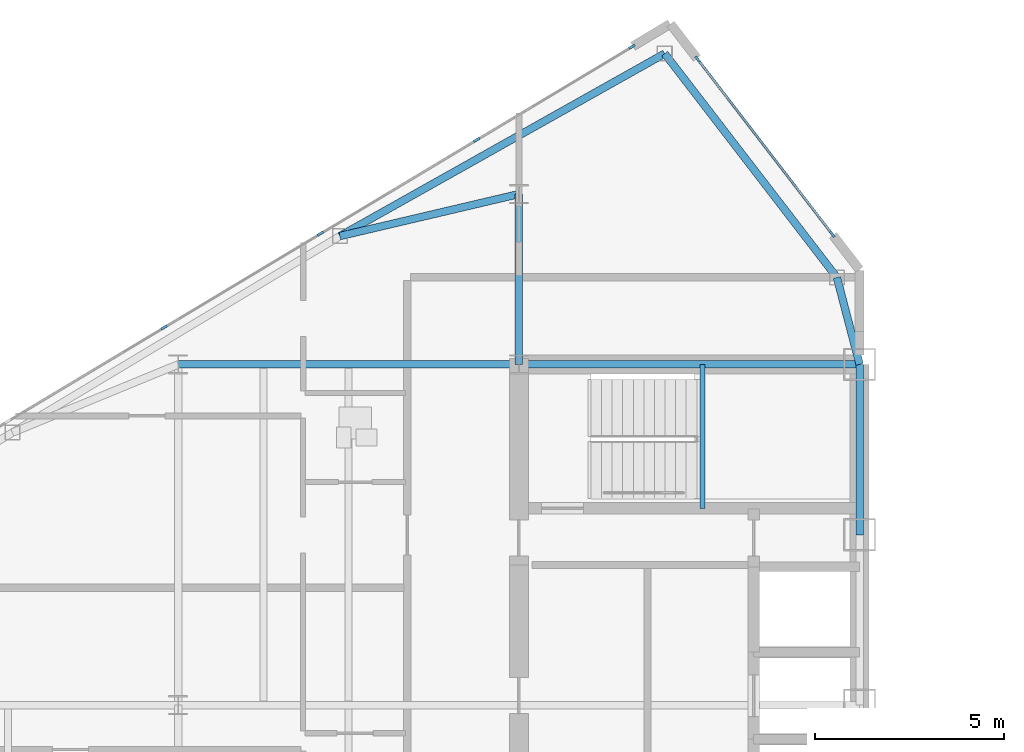
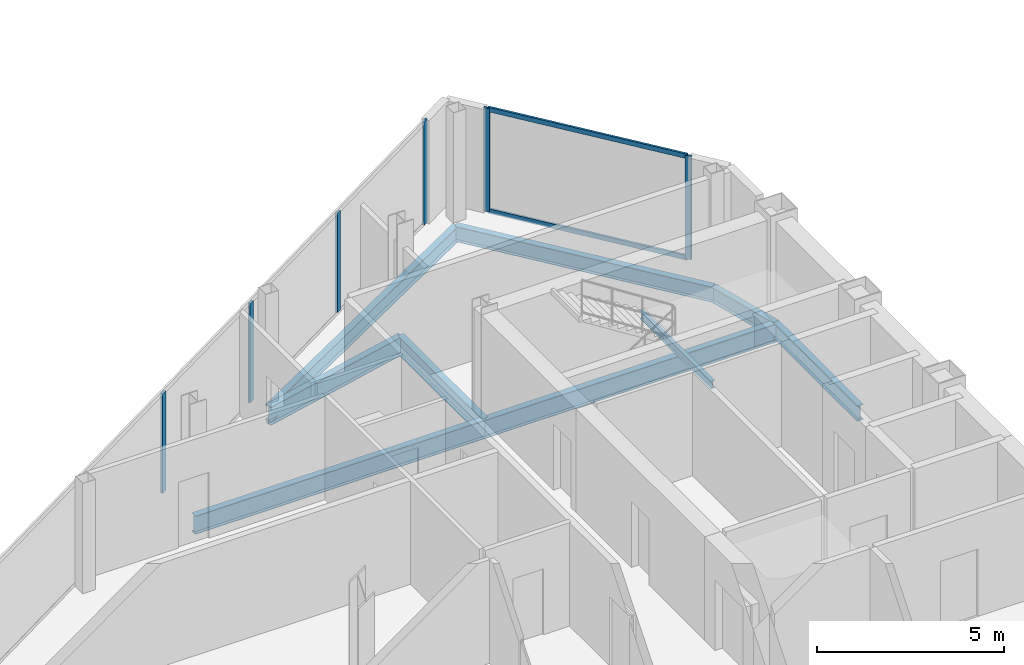
# One storey, part 10 of 25: 9 beams, 8 members, 2 elements without a shape of their own.
"""IFC4 building model written with IfcOpenShell, lengths in metres."""

import ifcopenshell
import ifcopenshell.guid

model = None  # the IFC model being written
_history = None  # IfcOwnerHistory: only IFC2X3 demands one
_inside = {}  # id of a spatial element -> (the spatial element, [elements in it])
_under = {}  # id of a project, library or spatial element -> (it, [spatial elements below it])
_declared = {}  # id of a project -> (the project, [libraries it declares])
_typed = {}  # id of a type object -> (the type object, [elements of that type])
_made_of = {}  # id of a material, layer set ... -> (it, [elements and type objects made of it])


def new_model(schema):
    """Start an empty IFC model of exactly this schema.

    Asked for "IFC4X3", IfcOpenShell would pick the latest addendum, in which some entities
    have other attributes; the version numbers below select the first issue.
    IFC2X3 requires an IfcOwnerHistory on every rooted entity: one is made here for all.
    """
    global model, _history
    if schema == "IFC4X3":
        model = ifcopenshell.file(schema_version=(4, 3, 0, 0))
    else:
        model = ifcopenshell.file(schema=schema)
    _inside.clear()
    _under.clear()
    _declared.clear()
    _typed.clear()
    _made_of.clear()
    _history = None
    if model.schema == "IFC2X3":
        org = make("IfcOrganization", Name="unknown")
        user = make(
            "IfcPersonAndOrganization",
            ThePerson=make("IfcPerson", FamilyName="unknown"),
            TheOrganization=org,
        )
        app = make(
            "IfcApplication",
            ApplicationDeveloper=org,
            Version="unknown",
            ApplicationFullName="unknown",
            ApplicationIdentifier="unknown",
        )
        _history = make(
            "IfcOwnerHistory",
            OwningUser=user,
            OwningApplication=app,
            ChangeAction="ADDED",
            CreationDate=0,
        )
    return model


def make(cls, **values):
    """One entity of the class cls with the attributes given. An attribute that is None is left unset."""
    return model.create_entity(
        cls, **{name: value for name, value in values.items() if value is not None}
    )


def rooted(cls, **values):
    """An entity with a GlobalId (a new one), such as an element, a storey or a relation."""
    return make(cls, GlobalId=ifcopenshell.guid.new(), OwnerHistory=_history, **values)


def si_unit(unit_type, name, prefix=None):
    """IfcSIUnit, for example si_unit("LENGTHUNIT", "METRE", prefix="MILLI")."""
    return make("IfcSIUnit", UnitType=unit_type, Prefix=prefix, Name=name)


def assignment(units):
    """IfcUnitAssignment: the units of a project."""
    return None if units is None else make("IfcUnitAssignment", Units=units)


def point(xyz):
    """IfcCartesianPoint."""
    return None if xyz is None else make("IfcCartesianPoint", Coordinates=xyz)


def direction(xyz):
    """IfcDirection."""
    return None if xyz is None else make("IfcDirection", DirectionRatios=xyz)


def frame(location, z_axis=None, x_axis=None):
    """IfcAxis2Placement3D, a coordinate frame: its origin and axes. An axis left out is left unset."""
    return make(
        "IfcAxis2Placement3D",
        Location=point(location),
        Axis=direction(z_axis),
        RefDirection=direction(x_axis),
    )


def frame_2d(location, x_axis=None):
    """IfcAxis2Placement2D, a coordinate frame in the plane: its origin and x axis."""
    return make(
        "IfcAxis2Placement2D", Location=point(location), RefDirection=direction(x_axis)
    )


def origin():
    """The frame at (0, 0, 0) with its axes left unset."""
    return frame((0.0, 0.0, 0.0))


def origin_2d():
    """The frame at (0, 0) in the plane with its x axis left unset."""
    return frame_2d((0.0, 0.0))


def place(relative_to, where):
    """IfcLocalPlacement: puts the frame where relative to a parent placement (None: the world)."""
    return make(
        "IfcLocalPlacement", PlacementRelTo=relative_to, RelativePlacement=where
    )


def context(
    kind, dimensions, precision=None, world=None, true_north=None, identifier=None
):
    """IfcGeometricRepresentationContext, for example the 3D "Model" context."""
    return make(
        "IfcGeometricRepresentationContext",
        ContextIdentifier=identifier,
        ContextType=kind,
        CoordinateSpaceDimension=dimensions,
        Precision=precision,
        WorldCoordinateSystem=world,
        TrueNorth=true_north,
    )


def subcontext(parent, identifier, kind, view, scale=None):
    """IfcGeometricRepresentationSubContext, for example "Body" below "Model"."""
    return make(
        "IfcGeometricRepresentationSubContext",
        ContextIdentifier=identifier,
        ContextType=kind,
        ParentContext=parent,
        TargetScale=scale,
        TargetView=view,
    )


def project(units=None, contexts=None):
    """IfcProject with its units and contexts."""
    return rooted(
        "IfcProject",
        Name="project",
        RepresentationContexts=contexts,
        UnitsInContext=assignment(units),
    )


def spatial(cls, under=None, at=None, **own):
    """A site, building, storey or space (cls), placed at a placement, below another one or the project."""
    s = rooted(cls, ObjectPlacement=at, **own)
    if under is not None:
        _under.setdefault(under.id(), (under, []))[1].append(s)
    return s


def profile(cls, at=None, kind="AREA", **sizes):
    """A parametric profile (cls). Its sizes go by their IFC names, for example OverallWidth=200.0."""
    return make(cls, ProfileType=kind, Position=at, **sizes)


def rectangle(**sizes):
    """IfcRectangleProfileDef."""
    return profile("IfcRectangleProfileDef", **sizes)


def i_section(**sizes):
    """IfcIShapeProfileDef."""
    return profile("IfcIShapeProfileDef", **sizes)


def extrude(swept, where, along, depth):
    """IfcExtrudedAreaSolid: the profile swept, set in the frame where, extruded along a direction by depth."""
    return make(
        "IfcExtrudedAreaSolid",
        SweptArea=swept,
        Position=where,
        ExtrudedDirection=direction(along),
        Depth=depth,
    )


def shape(context_of_items, identifier, shape_type, items):
    """IfcShapeRepresentation: the items that make up one representation, for example the "Body"."""
    return make(
        "IfcShapeRepresentation",
        ContextOfItems=context_of_items,
        RepresentationIdentifier=identifier,
        RepresentationType=shape_type,
        Items=items,
    )


def source(mapping_origin, context_of_items, identifier, shape_type, items):
    """IfcRepresentationMap: a shape defined once, which mapped items show again and again."""
    return make(
        "IfcRepresentationMap",
        MappingOrigin=mapping_origin,
        MappedRepresentation=shape(context_of_items, identifier, shape_type, items),
    )


def transform(
    local_origin,
    x_axis=None,
    y_axis=None,
    z_axis=None,
    scale=None,
    scale2=None,
    scale3=None,
    uniform=True,
):
    """IfcCartesianTransformationOperator3D, or its non-uniform kind. x_axis, y_axis, z_axis: its Axis1, 2, 3."""
    if uniform:
        return make(
            "IfcCartesianTransformationOperator3D",
            Axis1=direction(x_axis),
            Axis2=direction(y_axis),
            LocalOrigin=point(local_origin),
            Scale=scale,
            Axis3=direction(z_axis),
        )
    return make(
        "IfcCartesianTransformationOperator3DnonUniform",
        Axis1=direction(x_axis),
        Axis2=direction(y_axis),
        LocalOrigin=point(local_origin),
        Scale=scale,
        Axis3=direction(z_axis),
        Scale2=scale2,
        Scale3=scale3,
    )


def mapped(mapping_source, mapping_target):
    """IfcMappedItem: shows the shape of a source again, moved by a transform."""
    return make(
        "IfcMappedItem", MappingSource=mapping_source, MappingTarget=mapping_target
    )


def material(Name=None, Category=None):
    """IfcMaterial."""
    return make("IfcMaterial", Name=Name, Category=Category)


def layer(
    of_material, thickness, ventilated=None, Name=None, Category=None, Priority=None
):
    """IfcMaterialLayer: one layer of a wall or slab, of a material (None: an air gap)."""
    return make(
        "IfcMaterialLayer",
        Material=of_material,
        LayerThickness=thickness,
        IsVentilated=ventilated,
        Name=Name,
        Category=Category,
        Priority=Priority,
    )


def layer_set(layers, Name=None):
    """IfcMaterialLayerSet."""
    return make("IfcMaterialLayerSet", MaterialLayers=layers, LayerSetName=Name)


def material_profile(
    of_material, cross_section, Name=None, Category=None, Priority=None
):
    """IfcMaterialProfile: a cross section and its material."""
    return make(
        "IfcMaterialProfile",
        Name=Name,
        Material=of_material,
        Profile=cross_section,
        Priority=Priority,
        Category=Category,
    )


def profile_set(profiles, Name=None, composite=None):
    """IfcMaterialProfileSet."""
    return make(
        "IfcMaterialProfileSet",
        Name=Name,
        MaterialProfiles=profiles,
        CompositeProfile=composite,
    )


def made_of(thing, what):
    """Note that an element or type object is made of a material, layer set ...; save() writes the relation."""
    if what is not None:
        _made_of.setdefault(what.id(), (what, []))[1].append(thing)
    return thing


def type_object(cls, material=None, **own):
    """A type object (cls), such as IfcWallType, which elements share."""
    return made_of(rooted(cls, **own), material)


def type_shapes(of_type, sources):
    """Give a type object the sources (RepresentationMaps) that its elements show as mapped items."""
    of_type.RepresentationMaps = sources


def element(
    cls,
    number,
    at=None,
    inside=None,
    cuts=None,
    type_object=None,
    material=None,
    context=None,
    identifier="Body",
    shape_type=None,
    held_by="IfcProductDefinitionShape",
    body=None,
    shapes=None,
    **own,
):
    """One element of the class cls, such as IfcWall. Its Tag is "e" and its number.

    at: its placement. inside: the storey or other place that contains it. cuts: it is an
    opening in that element (IfcRelVoidsElement). A single representation is given by context,
    identifier, shape_type and body (its items); several are given by shapes. held_by: the class
    of the entity that holds the representations. save() writes the other relations.
    """
    e = rooted(cls, Tag="e%d" % number, ObjectPlacement=at, **own)
    if body is not None:
        shapes = [shape(context, identifier, shape_type, body)]
    if shapes is not None:
        e.Representation = make(held_by, Representations=shapes)
    if inside is not None:
        _inside.setdefault(inside.id(), (inside, []))[1].append(e)
    if cuts is not None:
        rooted(
            "IfcRelVoidsElement", RelatingBuildingElement=cuts, RelatedOpeningElement=e
        )
    if type_object is not None:
        _typed.setdefault(type_object.id(), (type_object, []))[1].append(e)
    return made_of(e, material)


def aggregate(whole, parts):
    """IfcRelAggregates: a whole, such as a stair, and the parts it consists of."""
    return rooted("IfcRelAggregates", RelatingObject=whole, RelatedObjects=parts)


def save(model, path):
    """Write the relations noted so far, then the file.

    IfcRelAggregates (storeys below a building ...), IfcRelContainedInSpatialStructure (elements
    in a storey), IfcRelDefinesByType, IfcRelAssociatesMaterial and IfcRelDeclares: one each for
    every whole, place, type object, material and project.
    """
    for whole, parts in _under.values():
        aggregate(whole, parts)
    for where, things in _inside.values():
        rooted(
            "IfcRelContainedInSpatialStructure",
            RelatedElements=things,
            RelatingStructure=where,
        )
    for kind, things in _typed.values():
        rooted("IfcRelDefinesByType", RelatedObjects=things, RelatingType=kind)
    for what, things in _made_of.values():
        rooted("IfcRelAssociatesMaterial", RelatedObjects=things, RelatingMaterial=what)
    for by, libraries in _declared.values():
        rooted("IfcRelDeclares", RelatingContext=by, RelatedDefinitions=libraries)
    model.write(path)


model = new_model("IFC4")

# Units and contexts
model_context = context("Model", 3, precision=1e-05, world=origin(), true_north=direction((0.0, 1.0)))
body_context = subcontext(model_context, "Body", "Model", "MODEL_VIEW")
ifc_project = project(units=[si_unit("LENGTHUNIT", "METRE"), si_unit("AREAUNIT", "SQUARE_METRE"), si_unit("VOLUMEUNIT", "CUBIC_METRE"), si_unit("PLANEANGLEUNIT", "RADIAN"), si_unit("MASSUNIT", "GRAM", prefix="KILO")], contexts=[model_context])

# Site, building, storey
site_placement = place(None, origin())
site = spatial("IfcSite", under=ifc_project, at=site_placement, CompositionType="ELEMENT")
building_placement = place(site_placement, origin())
building = spatial("IfcBuilding", under=site, at=building_placement, Name="Seokmaru Belvedere", CompositionType="ELEMENT")
storey_placement = place(building_placement, frame((0.0, 0.0, 217.5)))
storey = spatial("IfcBuildingStorey", under=building, at=storey_placement, Name="L58", CompositionType="ELEMENT", Elevation=217.5)

# Beams
ifc_material_1 = material(Name="Steel SM355 (355 MPa)", Category="steel")
ifc_material_profile_1 = material_profile(ifc_material_1, i_section(OverallWidth=0.199951171875, OverallDepth=0.5, WebThickness=0.010009765625, FlangeThickness=0.01611328125, at=origin_2d()), Name="H-500x200x10x16")
ifc_profile_set_1 = profile_set([ifc_material_profile_1], Name="Steel SM355 (355 MPa)")
beam_type_1 = type_object("IfcBeamType", Name="Perimeter Spandrel Beam H-500", PredefinedType="SPANDREL", material=ifc_profile_set_1)
shared_shape_1 = source(origin(), body_context, "Body", "SweptSolid", [
    extrude(i_section(OverallWidth=0.199951171875, OverallDepth=0.5, WebThickness=0.010009765625, FlangeThickness=0.01611328125, at=origin_2d()), origin(), (0.0, 0.0, 1.0), 4.5),
])
beam_1_placement = place(storey_placement, frame((-27.5, 9.0, -0.469970703125), z_axis=(0.0, 1.0, 0.0), x_axis=(-1.0, 0.0, 0.0)))
element("IfcBeam", 1, at=beam_1_placement, inside=storey, type_object=beam_type_1, Name="L58 W Portal Spine Spandrel 5", PredefinedType="SPANDREL", context=body_context, shape_type="MappedRepresentation", body=[
    mapped(shared_shape_1, transform((0.0, 0.0, 0.0), scale=1.0)),
])
ifc_material_profile_2 = material_profile(ifc_material_1, i_section(OverallWidth=0.199951171875, OverallDepth=0.60009765625, WebThickness=0.010986328125, FlangeThickness=0.01708984375, at=origin_2d()), Name="H-600x200x11x17")
ifc_profile_set_2 = profile_set([ifc_material_profile_2], Name="Steel SM355 (355 MPa)")
beam_type_2 = type_object("IfcBeamType", Name="Primary Floor Girder H-600", PredefinedType="BEAM", material=ifc_profile_set_2)
shared_shape_2 = source(origin(), body_context, "Body", "SweptSolid", [
    extrude(i_section(OverallWidth=0.199951171875, OverallDepth=0.60009765625, WebThickness=0.010986328125, FlangeThickness=0.01708984375, at=origin_2d()), origin(), (0.0, 0.0, 1.0), 9.0),
])
for number, where, z_axis, x_axis, name in (
    (2, (-36.5, 13.5, -0.52001953125), (1.0, 0.0, 0.0), (0.0, 1.0, 0.0), "L58 W Core Tie Girder 4"),
    (3, (-45.5, 13.5, -0.52001953125), (1.0, 0.0, 0.0), (0.0, 1.0, 0.0), "L58 W Wing Primary Girder 4"),
):
    element("IfcBeam", number, at=place(storey_placement, frame(where, z_axis=z_axis, x_axis=x_axis)), inside=storey, type_object=beam_type_2, Name=name, PredefinedType="BEAM", context=body_context, shape_type="MappedRepresentation", body=[
        mapped(shared_shape_2, transform((0.0, 0.0, 0.0), scale=1.0)),
    ])
shared_shape_3 = source(origin(), body_context, "Body", "SweptSolid", [
    extrude(i_section(OverallWidth=0.199951171875, OverallDepth=0.60009765625, WebThickness=0.010986328125, FlangeThickness=0.01708984375, at=origin_2d()), origin(), (0.0, 0.0, 1.0), 4.5),
])
beam_2_placement = place(storey_placement, frame((-36.5, 13.5, -0.52001953125), z_axis=(0.0, 1.0, 0.0), x_axis=(-1.0, 0.0, 0.0)))
element("IfcBeam", 4, at=beam_2_placement, inside=storey, type_object=beam_type_2, Name="L58 W Core Shoulder Girder N", PredefinedType="BEAM", context=body_context, shape_type="MappedRepresentation", body=[
    mapped(shared_shape_3, transform((0.0, 0.0, 0.0), scale=1.0)),
])
shared_shape_4 = source(origin(), body_context, "Body", "SweptSolid", [
    extrude(i_section(OverallWidth=0.199951171875, OverallDepth=0.5, WebThickness=0.010009765625, FlangeThickness=0.01611328125, at=origin_2d()), origin(), (0.0, 0.0, 1.0), 9.842041015625),
])
beam_3_placement = place(storey_placement, frame((-32.649658203125, 21.71044921875, -0.469970703125), z_axis=(-0.871782151818, -0.489893743349, 0.0), x_axis=(0.489893743349, -0.871782151818, 0.0)))
element("IfcBeam", 5, at=beam_3_placement, inside=storey, type_object=beam_type_1, Name="L58 W Faceted Flank Spandrel N-1", PredefinedType="SPANDREL", context=body_context, shape_type="MappedRepresentation", body=[
    mapped(shared_shape_4, transform((0.0, 0.0, 0.0), scale=1.0)),
])
shared_shape_5 = source(origin(), body_context, "Body", "SweptSolid", [
    extrude(i_section(OverallWidth=0.199951171875, OverallDepth=0.5, WebThickness=0.010009765625, FlangeThickness=0.01611328125, at=origin_2d()), origin(), (0.0, 0.0, 1.0), 7.4619140625),
])
beam_4_placement = place(storey_placement, frame((-32.649658203125, 21.71044921875, -0.469970703125), z_axis=(0.609702854945, -0.792630070507, 0.0), x_axis=(0.792630070507, 0.609702854945, 0.0)))
element("IfcBeam", 6, at=beam_4_placement, inside=storey, type_object=beam_type_1, Name="L58 W Shoulder Chamfer Spandrel N", PredefinedType="SPANDREL", context=body_context, shape_type="MappedRepresentation", body=[
    mapped(shared_shape_5, transform((0.0, 0.0, 0.0), scale=1.0)),
])
shared_shape_6 = source(origin(), body_context, "Body", "SweptSolid", [
    extrude(i_section(OverallWidth=0.199951171875, OverallDepth=0.5, WebThickness=0.010009765625, FlangeThickness=0.01611328125, at=origin_2d()), origin(), (0.0, 0.0, 1.0), 2.373046875),
])
type_shapes(beam_type_1, [shared_shape_1, shared_shape_4, shared_shape_5, shared_shape_6])
beam_5_placement = place(storey_placement, frame((-28.10009765625, 15.7958984375, -0.469970703125), z_axis=(0.252882558842, -0.967496982648, 0.0), x_axis=(0.967496982648, 0.252882558842, 0.0)))
element("IfcBeam", 7, at=beam_5_placement, inside=storey, type_object=beam_type_1, Name="L58 W Shoulder Spine Spandrel N", PredefinedType="SPANDREL", context=body_context, shape_type="MappedRepresentation", body=[
    mapped(shared_shape_6, transform((0.0, 0.0, 0.0), scale=1.0)),
])
shared_shape_7 = source(origin(), body_context, "Body", "SweptSolid", [
    extrude(i_section(OverallWidth=0.199951171875, OverallDepth=0.60009765625, WebThickness=0.010986328125, FlangeThickness=0.01708984375, at=origin_2d()), origin(), (0.0, 0.0, 1.0), 4.8583984375),
])
type_shapes(beam_type_2, [shared_shape_2, shared_shape_3, shared_shape_7])
beam_6_placement = place(storey_placement, frame((-41.229736328125, 16.888916015625, -0.52001953125), z_axis=(0.97349948295, 0.228689214211, 0.0), x_axis=(-0.228689214211, 0.97349948295, 0.0)))
element("IfcBeam", 8, at=beam_6_placement, inside=storey, type_object=beam_type_2, Name="L58 W Flank Radial Floor Girder N-1", PredefinedType="BEAM", context=body_context, shape_type="MappedRepresentation", body=[
    mapped(shared_shape_7, transform((0.0, 0.0, 0.0), scale=1.0)),
])

# Curtain wall, members
ifc_material_2 = material(Name="Bronze Triple Insulating Glass", Category="glass")
ifc_layer = layer(ifc_material_2, 0.179931640625)
ifc_layer_set = layer_set([ifc_layer], Name="Bronze Triple Insulating Glass")
curtain_wall_type = type_object("IfcCurtainWallType", Name="High-Rise Wind-Corner Curtain Wall System CW-5", PredefinedType="NOTDEFINED", material=ifc_layer_set)
curtain_wall_1_placement = place(storey_placement, origin())
curtain_wall_1 = element("IfcCurtainWall", 9, at=curtain_wall_1_placement, inside=storey, type_object=curtain_wall_type, Name="L58 Curtain Wall WF2", PredefinedType="NOTDEFINED")
ifc_material_3 = material(Name="Anodised Bronze Aluminium", Category="aluminium")
ifc_material_profile_3 = material_profile(ifc_material_3, rectangle(XDim=0.06494140625, YDim=0.179931640625, at=origin_2d()), Name="CW-M-65x180")
ifc_profile_set_3 = profile_set([ifc_material_profile_3], Name="Anodised Bronze Aluminium")
member_type_1 = type_object("IfcMemberType", Name="Bronze Unitised Mullion 65x180", PredefinedType="MULLION", material=ifc_profile_set_3)
shared_shape_8 = source(origin(), body_context, "Body", "SweptSolid", [
    extrude(rectangle(XDim=0.06494140625, YDim=0.179931640625, at=origin_2d()), origin(), (0.0, 0.0, 1.0), 3.3798828125),
])
member_1_placement = place(storey_placement, frame((-28.220947265625, 16.937255859375, 0.0), z_axis=(0.0, 0.0, 1.0), x_axis=(-0.792631353244, -0.609701187349, 0.0)))
member_1 = element("IfcMember", 10, at=member_1_placement, type_object=member_type_1, Name="CW:L58:WF2 Mullion 1", PredefinedType="MULLION", context=body_context, shape_type="MappedRepresentation", body=[
    mapped(shared_shape_8, transform((0.0, 0.0, 0.0), scale=1.0)),
])
member_2_placement = place(storey_placement, frame((-31.779052734375, 21.562744140625, 0.0), z_axis=(0.0, 0.0, 1.0), x_axis=(-0.792631353244, -0.609701187349, 0.0)))
member_2 = element("IfcMember", 11, at=member_2_placement, type_object=member_type_1, Name="CW:L58:WF2 Mullion 2", PredefinedType="MULLION", context=body_context, shape_type="MappedRepresentation", body=[
    mapped(shared_shape_8, transform((0.0, 0.0, 0.0), scale=1.0)),
])

curtain_wall_2_placement = place(storey_placement, origin())
curtain_wall_2 = element("IfcCurtainWall", 12, at=curtain_wall_2_placement, inside=storey, type_object=curtain_wall_type, Name="L58 Curtain Wall WF3", PredefinedType="NOTDEFINED")
member_3_placement = place(storey_placement, frame((-33.513916015625, 21.8916015625, 0.0), z_axis=(0.0, 0.0, 1.0), x_axis=(0.514494909364, -0.85749343335, 0.0)))
member_3 = element("IfcMember", 13, at=member_3_placement, type_object=member_type_1, Name="CW:L58:WF3 Mullion 1", PredefinedType="MULLION", context=body_context, shape_type="MappedRepresentation", body=[
    mapped(shared_shape_8, transform((0.0, 0.0, 0.0), scale=1.0)),
])
shared_shape_9 = source(origin(), body_context, "Body", "SweptSolid", [
    extrude(rectangle(XDim=0.06494140625, YDim=0.179931640625, at=origin_2d()), origin(), (0.0, 0.0, 1.0), 3.25),
])
type_shapes(member_type_1, [shared_shape_8, shared_shape_9])
member_4_placement = place(storey_placement, frame((-37.614501953125, 19.43115234375, 0.06494140625), z_axis=(0.0, 0.0, 1.0), x_axis=(0.514494909364, -0.85749343335, 0.0)))
member_4 = element("IfcMember", 14, at=member_4_placement, type_object=member_type_1, Name="CW:L58:WF3 Mullion 2", PredefinedType="MULLION", context=body_context, shape_type="MappedRepresentation", body=[
    mapped(shared_shape_9, transform((0.0, 0.0, 0.0), scale=1.0)),
])
member_5_placement = place(storey_placement, frame((-41.7431640625, 16.9541015625, 0.06494140625), z_axis=(0.0, 0.0, 1.0), x_axis=(0.514494909364, -0.85749343335, 0.0)))
member_5 = element("IfcMember", 15, at=member_5_placement, type_object=member_type_1, Name="CW:L58:WF3 Mullion 3", PredefinedType="MULLION", context=body_context, shape_type="MappedRepresentation", body=[
    mapped(shared_shape_9, transform((0.0, 0.0, 0.0), scale=1.0)),
])
member_6_placement = place(storey_placement, frame((-45.87158203125, 14.47705078125, 0.06494140625), z_axis=(0.0, 0.0, 1.0), x_axis=(0.514494909364, -0.85749343335, 0.0)))
member_6 = element("IfcMember", 16, at=member_6_placement, type_object=member_type_1, Name="CW:L58:WF3 Mullion 4", PredefinedType="MULLION", context=body_context, shape_type="MappedRepresentation", body=[
    mapped(shared_shape_9, transform((0.0, 0.0, 0.0), scale=1.0)),
])
aggregate(curtain_wall_2, [member_3, member_4, member_5, member_6])

# Member
ifc_material_profile_4 = material_profile(ifc_material_3, rectangle(XDim=0.06494140625, YDim=0.14990234375, at=origin_2d()), Name="CW-T-65x150")
ifc_profile_set_4 = profile_set([ifc_material_profile_4], Name="Anodised Bronze Aluminium")
member_type_2 = type_object("IfcMemberType", Name="Bronze Unitised Transom 65x150", PredefinedType="USERDEFINED", material=ifc_profile_set_4)
shared_shape_10 = source(origin(), body_context, "Body", "SweptSolid", [
    extrude(rectangle(XDim=0.06494140625, YDim=0.14990234375, at=origin_2d()), origin(), (0.0, 0.0, 1.0), 5.77099609375),
])
type_shapes(member_type_2, [shared_shape_10])
member_7_placement = place(storey_placement, frame((-28.24072265625, 16.962890625, 0.032470703125), z_axis=(-0.60970258286, 0.792630279799, 0.0), x_axis=(-0.792630279799, -0.60970258286, 0.0)))
member_7 = element("IfcMember", 17, at=member_7_placement, type_object=member_type_2, Name="CW:L58:WF2 Continuous Transom 1", ObjectType="TRANSOM", PredefinedType="USERDEFINED", context=body_context, shape_type="MappedRepresentation", body=[
    mapped(shared_shape_10, transform((0.0, 0.0, 0.0), scale=1.0)),
])

member_8_placement = place(storey_placement, frame((-28.24072265625, 16.962890625, 3.347412109375), z_axis=(-0.60970258286, 0.792630279799, 0.0), x_axis=(-0.792630279799, -0.60970258286, 0.0)))
member_8 = element("IfcMember", 18, at=member_8_placement, type_object=member_type_2, Name="CW:L58:WF2 Continuous Transom 2", ObjectType="TRANSOM", PredefinedType="USERDEFINED", context=body_context, shape_type="MappedRepresentation", body=[
    mapped(shared_shape_10, transform((0.0, 0.0, 0.0), scale=1.0)),
])

aggregate(curtain_wall_1, [member_1, member_2, member_7, member_8])

# Beam
ifc_material_profile_5 = material_profile(ifc_material_1, i_section(OverallWidth=0.125, OverallDepth=0.25, WebThickness=0.006103515625, FlangeThickness=0.009033203125, at=origin_2d()), Name="H-250x125x6x9")
ifc_profile_set_5 = profile_set([ifc_material_profile_5], Name="Steel SM355 (355 MPa)")
beam_type_3 = type_object("IfcBeamType", Name="Stair Mid-Landing Support Beam H-250", PredefinedType="JOIST", material=ifc_profile_set_5)
shared_shape_11 = source(origin(), body_context, "Body", "SweptSolid", [
    extrude(i_section(OverallWidth=0.125, OverallDepth=0.25, WebThickness=0.006103515625, FlangeThickness=0.009033203125, at=origin_2d()), origin(), (0.0, 0.0, 1.0), 3.800048828125),
])
type_shapes(beam_type_3, [shared_shape_11])
beam_7_placement = place(storey_placement, frame((-31.64990234375, 9.699951171875, 1.47509765625), z_axis=(0.0, 1.0, 0.0), x_axis=(-1.0, 0.0, 0.0)))
element("IfcBeam", 19, at=beam_7_placement, inside=storey, type_object=beam_type_3, Name="L58 Stair ST-W2 Mid-Landing Support Beam 1", PredefinedType="JOIST", context=body_context, shape_type="MappedRepresentation", body=[
    mapped(shared_shape_11, transform((0.0, 0.0, 0.0), scale=1.0)),
])

save(model, "model.ifc")
